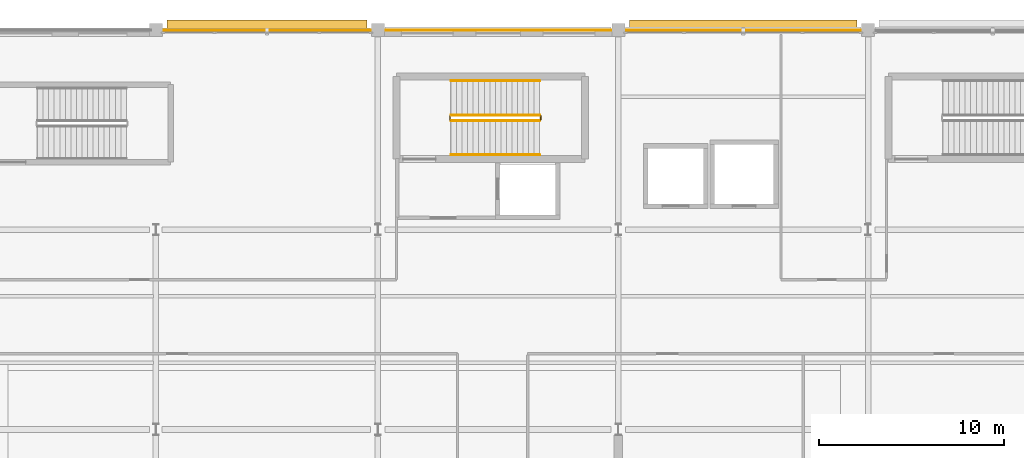
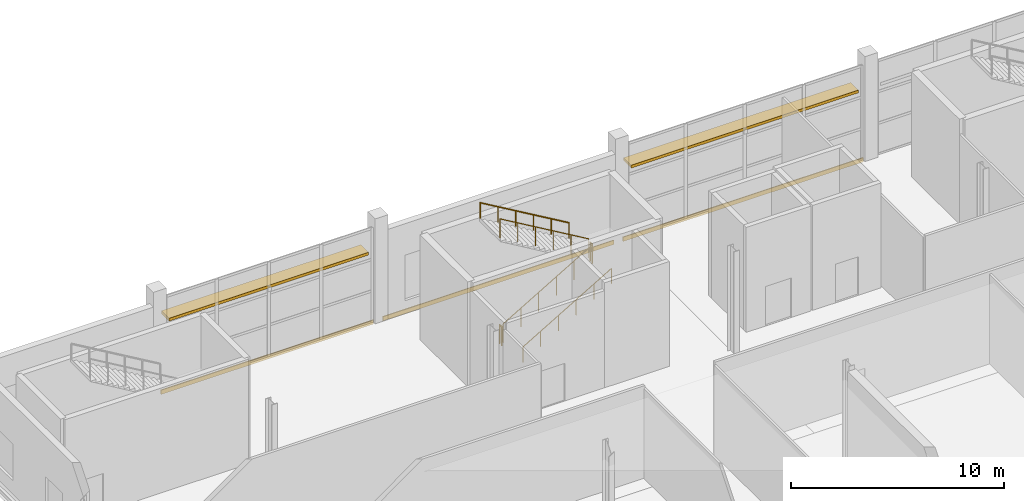
# One storey, part 190 of 191: 6 railings, 3 coverings, 2 shading devices.
"""IFC4 building model written with IfcOpenShell, lengths in metres."""

from ifc_helpers import new_model, si_unit, direction, frame, origin, origin_2d, place, context, subcontext, project, spatial, rectangle, circle, extrude, material, layer, layer_set, type_object, element, save


model = new_model("IFC4")

# Units and contexts
model_context = context("Model", 3, precision=1e-05, world=origin(), true_north=direction((0.0, 1.0)))
body_context = subcontext(model_context, "Body", "Model", "MODEL_VIEW")
ifc_project = project(units=[si_unit("LENGTHUNIT", "METRE"), si_unit("AREAUNIT", "SQUARE_METRE"), si_unit("VOLUMEUNIT", "CUBIC_METRE"), si_unit("PLANEANGLEUNIT", "RADIAN"), si_unit("MASSUNIT", "GRAM", prefix="KILO")], contexts=[model_context])

# Site, building, storey
site_placement = place(None, origin())
site = spatial("IfcSite", under=ifc_project, at=site_placement, CompositionType="ELEMENT")
building_placement = place(site_placement, origin())
building = spatial("IfcBuilding", under=site, at=building_placement, Name="Tamarisk Ironworks Central Station", CompositionType="ELEMENT")
storey_placement = place(building_placement, frame((0.0, 0.0, 6.60009765625)))
storey = spatial("IfcBuildingStorey", under=building, at=storey_placement, Name="L01", CompositionType="ELEMENT", Elevation=6.60009765625)

# Coverings
ifc_material_1 = material(Name="Clay facing brickwork and mortar", Category="masonry")
ifc_layer = layer(ifc_material_1, 0.050048828125)
ifc_layer_set = layer_set([ifc_layer], Name="Clay facing brickwork and mortar")
covering_type = type_object("IfcCoveringType", Name="COV-CLAD", PredefinedType="CLADDING", material=ifc_layer_set)
covering_1_placement = place(storey_placement, frame((134.0, 122.389892578125, -0.240234375), z_axis=(0.0, 0.0, 1.0), x_axis=(1.0, 0.0, 0.0)))
element("IfcCovering", 1, at=covering_1_placement, inside=storey, type_object=covering_type, Name="L01 terracotta slab-edge spandrel cladding 003", PredefinedType="CLADDING", context=body_context, shape_type="SweptSolid", body=[
    extrude(rectangle(XDim=11.5, YDim=0.050048828125, at=origin_2d()), origin(), (0.0, 0.0, 1.0), 0.239990234375),
])
covering_2_placement = place(storey_placement, frame((146.5, 122.389892578125, -0.240234375), z_axis=(0.0, 0.0, 1.0), x_axis=(1.0, 0.0, 0.0)))
element("IfcCovering", 2, at=covering_2_placement, inside=storey, type_object=covering_type, Name="L01 terracotta slab-edge spandrel cladding 004", PredefinedType="CLADDING", context=body_context, shape_type="SweptSolid", body=[
    extrude(rectangle(XDim=12.5, YDim=0.050048828125, at=origin_2d()), origin(), (0.0, 0.0, 1.0), 0.239990234375),
])
covering_3_placement = place(storey_placement, frame((159.75, 122.389892578125, -0.240234375), z_axis=(0.0, 0.0, 1.0), x_axis=(1.0, 0.0, 0.0)))
element("IfcCovering", 3, at=covering_3_placement, inside=storey, type_object=covering_type, Name="L01 terracotta slab-edge spandrel cladding 005", PredefinedType="CLADDING", context=body_context, shape_type="SweptSolid", body=[
    extrude(rectangle(XDim=13.0, YDim=0.050048828125, at=origin_2d()), origin(), (0.0, 0.0, 1.0), 0.239990234375),
])

# Railings
ifc_material_2 = material(Name="Brushed stainless steel AISI 316", Category="steel")
railing_type_1 = type_object("IfcRailingType", Name="RL-GUARD-INT", PredefinedType="BALUSTRADE", material=ifc_material_2)
railing_1_placement = place(storey_placement, frame((143.949951171875, 117.5, 0.17626953125)))
element("IfcRailing", 4, at=railing_1_placement, inside=storey, type_object=railing_type_1, Name="L01 ST-C1 stair guard 1", PredefinedType="BALUSTRADE", context=body_context, shape_type="SweptSolid", body=[
    extrude(circle(Radius=0.02392578125, at=origin_2d()), frame((0.0, 0.0, 1.076171875), z_axis=(0.861920691219, 0.0, 0.507043116558), x_axis=(0.0, 1.0, 0.0)), (0.0, 0.0, 1.0), 5.569091796875),
    extrude(circle(Radius=0.02099609375, at=origin_2d()), origin(), (0.0, 0.0, 1.0), 1.052001953125),
    extrude(circle(Radius=0.02099609375, at=origin_2d()), frame((0.9599609375, 0.0, 0.564697265625)), (0.0, 0.0, 1.0), 1.052001953125),
    extrude(circle(Radius=0.02099609375, at=origin_2d()), frame((1.919921875, 0.0, 1.12939453125)), (0.0, 0.0, 1.0), 1.052001953125),
    extrude(circle(Radius=0.02099609375, at=origin_2d()), frame((2.880126953125, 0.0, 1.6943359375)), (0.0, 0.0, 1.0), 1.052001953125),
    extrude(circle(Radius=0.02099609375, at=origin_2d()), frame((3.840087890625, 0.0, 2.259033203125)), (0.0, 0.0, 1.0), 1.052001953125),
    extrude(circle(Radius=0.02099609375, at=origin_2d()), frame((4.800048828125, 0.0, 2.82373046875)), (0.0, 0.0, 1.0), 1.052001953125),
])
railing_2_placement = place(storey_placement, frame((148.800048828125, 117.550048828125, 3.0)))
element("IfcRailing", 5, at=railing_2_placement, inside=storey, type_object=railing_type_1, Name="L01 ST-C1 stair guard 2", PredefinedType="BALUSTRADE", context=body_context, shape_type="SweptSolid", body=[
    extrude(circle(Radius=0.02392578125, at=origin_2d()), frame((0.0, 0.0, 1.076171875), z_axis=(0.0, 1.0, 0.0), x_axis=(-1.0, 0.0, 0.0)), (0.0, 0.0, 1.0), 0.199951171875),
    extrude(circle(Radius=0.02099609375, at=origin_2d()), origin(), (0.0, 0.0, 1.0), 1.052001953125),
    extrude(circle(Radius=0.02099609375, at=origin_2d()), frame((0.0, 0.199951171875, 0.0)), (0.0, 0.0, 1.0), 1.052001953125),
])
railing_3_placement = place(storey_placement, frame((148.75, 117.800048828125, 3.17626953125)))
element("IfcRailing", 6, at=railing_3_placement, inside=storey, type_object=railing_type_1, Name="L01 ST-C1 stair guard 3", PredefinedType="BALUSTRADE", context=body_context, shape_type="SweptSolid", body=[
    extrude(circle(Radius=0.02392578125, at=origin_2d()), frame((0.0, 0.0, 1.076171875), z_axis=(-0.861920691219, 0.0, 0.507043116558), x_axis=(0.0, -1.0, 0.0)), (0.0, 0.0, 1.0), 5.569091796875),
    extrude(circle(Radius=0.02099609375, at=origin_2d()), origin(), (0.0, 0.0, 1.0), 1.052001953125),
    extrude(circle(Radius=0.02099609375, at=origin_2d()), frame((-0.9599609375, 0.0, 0.564697265625)), (0.0, 0.0, 1.0), 1.052001953125),
    extrude(circle(Radius=0.02099609375, at=origin_2d()), frame((-1.919921875, 0.0, 1.12939453125)), (0.0, 0.0, 1.0), 1.052001953125),
    extrude(circle(Radius=0.02099609375, at=origin_2d()), frame((-2.880126953125, 0.0, 1.6943359375)), (0.0, 0.0, 1.0), 1.052001953125),
    extrude(circle(Radius=0.02099609375, at=origin_2d()), frame((-3.840087890625, 0.0, 2.259033203125)), (0.0, 0.0, 1.0), 1.052001953125),
    extrude(circle(Radius=0.02099609375, at=origin_2d()), frame((-4.800048828125, 0.0, 2.82373046875)), (0.0, 0.0, 1.0), 1.052001953125),
])
railing_4_placement = place(storey_placement, frame((143.89990234375, 117.550048828125, 0.0)))
element("IfcRailing", 7, at=railing_4_placement, inside=storey, type_object=railing_type_1, Name="L01 ST-C1 stair guard 4", PredefinedType="BALUSTRADE", context=body_context, shape_type="SweptSolid", body=[
    extrude(circle(Radius=0.02392578125, at=origin_2d()), frame((0.0, 0.0, 1.076171875), z_axis=(0.0, 1.0, 0.0), x_axis=(-1.0, 0.0, 0.0)), (0.0, 0.0, 1.0), 0.199951171875),
    extrude(circle(Radius=0.02099609375, at=origin_2d()), origin(), (0.0, 0.0, 1.0), 1.052001953125),
    extrude(circle(Radius=0.02099609375, at=origin_2d()), frame((0.0, 0.199951171875, 0.0)), (0.0, 0.0, 1.0), 1.052001953125),
])
railing_type_2 = type_object("IfcRailingType", Name="RL-HAND", PredefinedType="HANDRAIL", material=ifc_material_2)
railing_5_placement = place(storey_placement, frame((143.949951171875, 115.64990234375, 0.17626953125)))
element("IfcRailing", 8, at=railing_5_placement, inside=storey, type_object=railing_type_2, Name="L01 ST-C1 stair handrail 1", PredefinedType="HANDRAIL", context=body_context, shape_type="SweptSolid", body=[
    extrude(circle(Radius=0.02392578125, at=origin_2d()), frame((0.0, 0.0, 0.8759765625), z_axis=(0.861920691219, 0.0, 0.507043116558), x_axis=(0.0, 1.0, 0.0)), (0.0, 0.0, 1.0), 5.569091796875),
    extrude(circle(Radius=0.02099609375, at=origin_2d()), origin(), (0.0, 0.0, 1.0), 0.851806640625),
    extrude(circle(Radius=0.02099609375, at=origin_2d()), frame((0.9599609375, 0.0, 0.564697265625)), (0.0, 0.0, 1.0), 0.851806640625),
    extrude(circle(Radius=0.02099609375, at=origin_2d()), frame((1.919921875, 0.0, 1.12939453125)), (0.0, 0.0, 1.0), 0.851806640625),
    extrude(circle(Radius=0.02099609375, at=origin_2d()), frame((2.880126953125, 0.0, 1.6943359375)), (0.0, 0.0, 1.0), 0.851806640625),
    extrude(circle(Radius=0.02099609375, at=origin_2d()), frame((3.840087890625, 0.0, 2.259033203125)), (0.0, 0.0, 1.0), 0.851806640625),
    extrude(circle(Radius=0.02099609375, at=origin_2d()), frame((4.800048828125, 0.0, 2.82373046875)), (0.0, 0.0, 1.0), 0.851806640625),
])
railing_6_placement = place(storey_placement, frame((148.75, 119.64990234375, 3.17626953125)))
element("IfcRailing", 9, at=railing_6_placement, inside=storey, type_object=railing_type_2, Name="L01 ST-C1 stair handrail 2", PredefinedType="HANDRAIL", context=body_context, shape_type="SweptSolid", body=[
    extrude(circle(Radius=0.02392578125, at=origin_2d()), frame((0.0, 0.0, 0.8759765625), z_axis=(-0.861920691219, 0.0, 0.507043116558), x_axis=(0.0, -1.0, 0.0)), (0.0, 0.0, 1.0), 5.569091796875),
    extrude(circle(Radius=0.02099609375, at=origin_2d()), origin(), (0.0, 0.0, 1.0), 0.851806640625),
    extrude(circle(Radius=0.02099609375, at=origin_2d()), frame((-0.9599609375, 0.0, 0.564697265625)), (0.0, 0.0, 1.0), 0.851806640625),
    extrude(circle(Radius=0.02099609375, at=origin_2d()), frame((-1.919921875, 0.0, 1.12939453125)), (0.0, 0.0, 1.0), 0.851806640625),
    extrude(circle(Radius=0.02099609375, at=origin_2d()), frame((-2.880126953125, 0.0, 1.6943359375)), (0.0, 0.0, 1.0), 0.851806640625),
    extrude(circle(Radius=0.02099609375, at=origin_2d()), frame((-3.840087890625, 0.0, 2.259033203125)), (0.0, 0.0, 1.0), 0.851806640625),
    extrude(circle(Radius=0.02099609375, at=origin_2d()), frame((-4.800048828125, 0.0, 2.82373046875)), (0.0, 0.0, 1.0), 0.851806640625),
])

# Shading devices
ifc_material_3 = material(Name="Anodized aluminium alloy 6063-T6", Category="aluminium")
shading_device_type = type_object("IfcShadingDeviceType", Name="SHD-LV02", PredefinedType="JALOUSIE", material=ifc_material_3)
shading_device_1_placement = place(storey_placement, frame((134.0, 122.580078125, 3.919921875), z_axis=(0.0, 0.0, 1.0), x_axis=(1.0, 0.0, 0.0)))
element("IfcShadingDevice", 10, at=shading_device_1_placement, inside=storey, type_object=shading_device_type, Name="L01 north horizontal solar jalousie canopy 001", PredefinedType="JALOUSIE", context=body_context, shape_type="SweptSolid", body=[
    extrude(rectangle(XDim=10.800048828125, YDim=0.719970703125, at=origin_2d()), origin(), (0.0, 0.0, 1.0), 0.159912109375),
])
shading_device_2_placement = place(storey_placement, frame((159.75, 122.580078125, 3.919921875), z_axis=(0.0, 0.0, 1.0), x_axis=(1.0, 0.0, 0.0)))
element("IfcShadingDevice", 11, at=shading_device_2_placement, inside=storey, type_object=shading_device_type, Name="L01 north horizontal solar jalousie canopy 002", PredefinedType="JALOUSIE", context=body_context, shape_type="SweptSolid", body=[
    extrude(rectangle(XDim=12.300048828125, YDim=0.719970703125, at=origin_2d()), origin(), (0.0, 0.0, 1.0), 0.159912109375),
])

save(model, "model.ifc")
